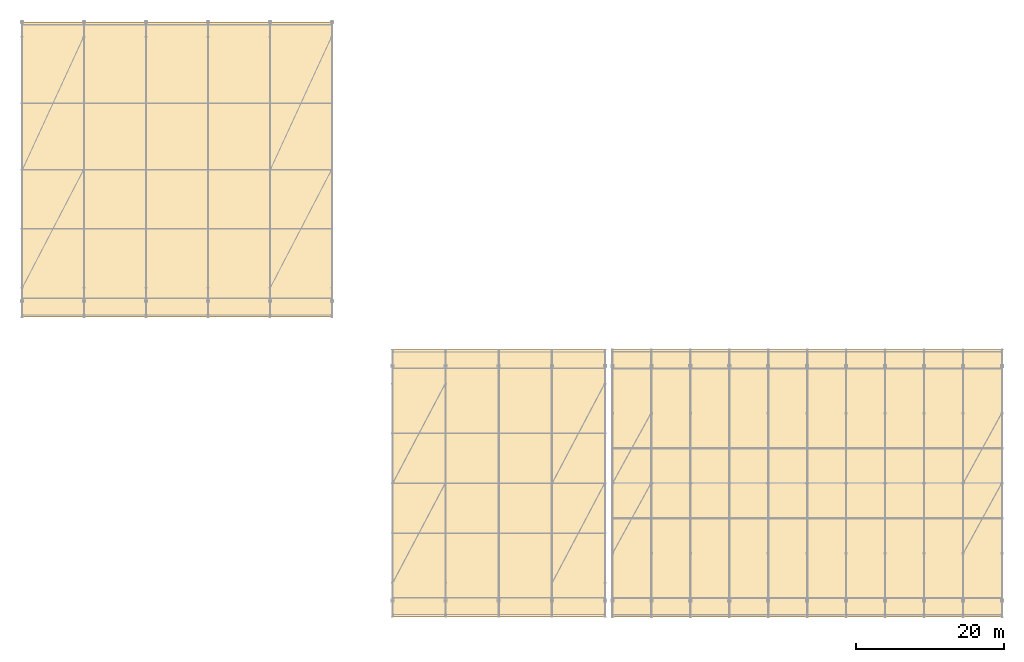
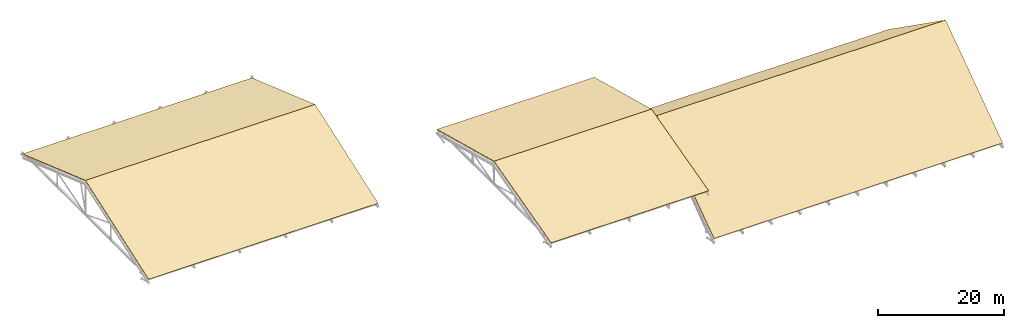
# One storey, part 57 of 57: 6 coverings.
"""IFC4 building model written with IfcOpenShell, lengths in metres."""

from ifc_helpers import new_model, si_unit, direction, frame, origin, place, context, subcontext, project, spatial, polyline, outline, extrude, material, layer, layer_set, type_object, element, save


model = new_model("IFC4")

# Units and contexts
model_context = context("Model", 3, precision=1e-05, world=origin(), true_north=direction((0.0, 1.0)))
body_context = subcontext(model_context, "Body", "Model", "MODEL_VIEW")
ifc_project = project(units=[si_unit("LENGTHUNIT", "METRE"), si_unit("AREAUNIT", "SQUARE_METRE"), si_unit("VOLUMEUNIT", "CUBIC_METRE"), si_unit("PLANEANGLEUNIT", "RADIAN"), si_unit("MASSUNIT", "GRAM", prefix="KILO")], contexts=[model_context])

# Site, building, storey
site_placement = place(None, origin())
site = spatial("IfcSite", under=ifc_project, at=site_placement, CompositionType="ELEMENT")
building_placement = place(site_placement, origin())
building = spatial("IfcBuilding", under=site, at=building_placement, Name="Kelarvand Opera House", CompositionType="ELEMENT")
storey_placement = place(building_placement, frame((0.0, 0.0, 33.60009765625)))
storey = spatial("IfcBuildingStorey", under=building, at=storey_placement, Name="Roof", CompositionType="ELEMENT", Elevation=33.60009765625)

# Coverings
ifc_material = material(Name="Standing-seam bronze-zinc over mineral wool")
ifc_layer = layer(ifc_material, 0.080078125, Name="Standing-seam bronze-zinc over mineral wool")
ifc_layer_set = layer_set([ifc_layer], Name="Standing-seam bronze-zinc over mineral wool")
covering_type = type_object("IfcCoveringType", Name="Standing-Seam Patinated Bronze Acoustic Roof Covering 80mm", PredefinedType="ROOFING", material=ifc_layer_set)
for number, where, z_axis, x_axis, name in (
    (1, (89.0, 44.39990234375, -9.52001953125), (0.0, -0.577383435526, 0.816473127776), (1.0, 0.0, 0.0), "V1 Standing-Seam Roof Covering S"),
    (2, (89.0, 62.5, 3.27978515625), (0.0, 0.577383435526, 0.816473127776), (1.0, 0.0, 0.0), "V1 Standing-Seam Roof Covering N"),
):
    element("IfcCovering", number, at=place(storey_placement, frame(where, z_axis=z_axis, x_axis=x_axis)), inside=storey, type_object=covering_type, Name=name, PredefinedType="ROOFING", context=body_context, shape_type="SweptSolid", body=[
        extrude(outline(polyline([(0.0, 0.0), (52.800048828125, 0.0), (52.800048828125, 22.16863855097858), (0.0, 22.16863855097858), (0.0, 0.0)])), origin(), (0.0, 0.0, -1.0), 0.080078125),
    ])
for number, where, z_axis, x_axis, name in (
    (3, (59.199951171875, 44.39990234375, 0.079833984375), (0.0, -0.256334023331, 0.966588262128), (1.0, 0.0, 0.0), "V2 Standing-Seam Roof Covering S"),
    (4, (59.199951171875, 62.5, 4.8798828125), (0.0, 0.256334023331, 0.966588262128), (1.0, 0.0, 0.0), "V2 Standing-Seam Roof Covering N"),
):
    element("IfcCovering", number, at=place(storey_placement, frame(where, z_axis=z_axis, x_axis=x_axis)), inside=storey, type_object=covering_type, Name=name, PredefinedType="ROOFING", context=body_context, shape_type="SweptSolid", body=[
        extrude(outline(polyline([(0.0, 0.0), (28.800048828125, 0.0), (28.800048828125, 18.725757766193897), (0.0, 18.725757766193897), (0.0, 0.0)])), origin(), (0.0, 0.0, -1.0), 0.080078125),
    ])
for number, where, z_axis, x_axis, name in (
    (5, (9.0, 85.0, -14.02001953125), (0.0, -0.330350424728, 0.943858356366), (1.0, 0.0, 0.0), "V3 Standing-Seam Roof Covering S"),
    (6, (9.0, 105.0, -7.02001953125), (0.0, 0.330350424728, 0.943858356366), (1.0, 0.0, 0.0), "V3 Standing-Seam Roof Covering N"),
):
    element("IfcCovering", number, at=place(storey_placement, frame(where, z_axis=z_axis, x_axis=x_axis)), inside=storey, type_object=covering_type, Name=name, PredefinedType="ROOFING", context=body_context, shape_type="SweptSolid", body=[
        extrude(outline(polyline([(0.0, 0.0), (42.0, 0.0), (42.0, 21.18962010041709), (0.0, 21.18962010041709), (0.0, 0.0)])), origin(), (0.0, 0.0, -1.0), 0.080078125),
    ])

save(model, "model.ifc")
